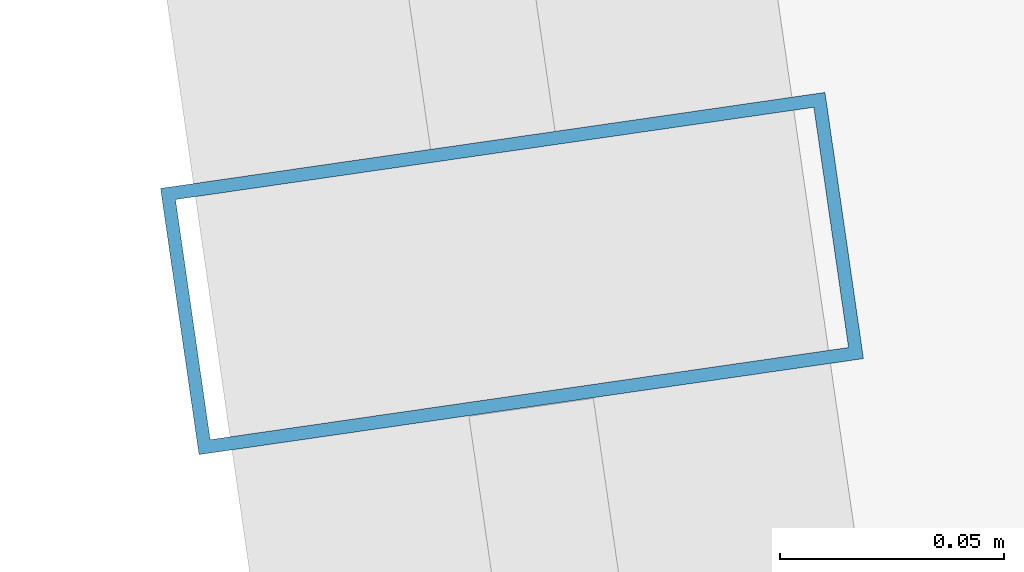
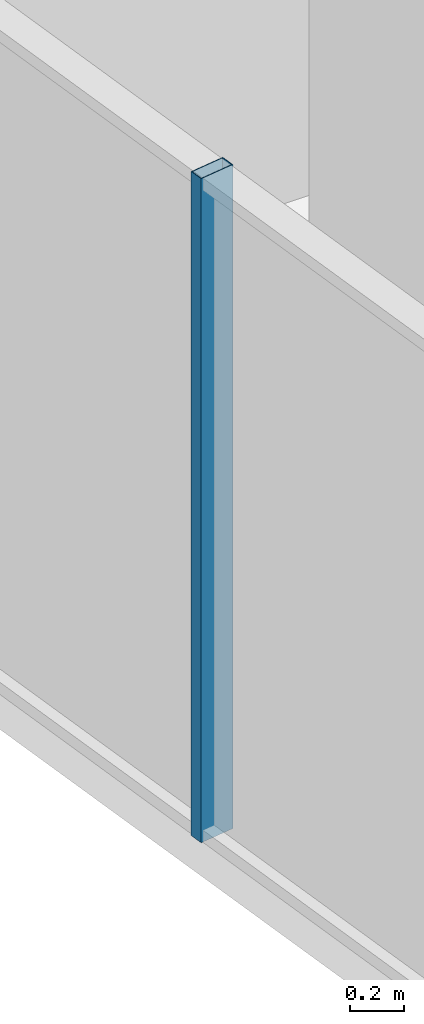
# One storey, part 9 of 31: 1 member, 1 element without a shape of its own.
"""IFC4 building model written with IfcOpenShell, lengths in metres."""

from ifc_helpers import new_model, si_unit, direction, frame, origin, origin_2d, place, context, subcontext, project, spatial, hollow_rectangle, extrude, source, transform, mapped, material, layer, layer_set, material_profile, profile_set, type_object, element, aggregate, save


model = new_model("IFC4")

# Units and contexts
model_context = context("Model", 3, precision=1e-05, world=origin(), true_north=direction((0.0, 1.0)))
body_context = subcontext(model_context, "Body", "Model", "MODEL_VIEW")
ifc_project = project(units=[si_unit("LENGTHUNIT", "METRE"), si_unit("AREAUNIT", "SQUARE_METRE"), si_unit("VOLUMEUNIT", "CUBIC_METRE"), si_unit("PLANEANGLEUNIT", "RADIAN"), si_unit("MASSUNIT", "GRAM", prefix="KILO")], contexts=[model_context])

# Site, building, storey
site_placement = place(None, origin())
site = spatial("IfcSite", under=ifc_project, at=site_placement, CompositionType="ELEMENT")
building_placement = place(site_placement, origin())
building = spatial("IfcBuilding", under=site, at=building_placement, Name="Veraguas Prism Commons", CompositionType="ELEMENT")
storey_placement = place(building_placement, frame((0.0, 0.0, 178.85009765625)))
storey = spatial("IfcBuildingStorey", under=building, at=storey_placement, Name="L50", CompositionType="ELEMENT", Elevation=178.85009765625)

# Curtain wall, member
ifc_material = material(Name="Anodised aluminium EN AW-6063 T6", Category="aluminium")
ifc_layer = layer(ifc_material, 0.14990234375, Name="Unitised Flush Curtain Wall Zone 3", Category="aluminium")
ifc_layer_set = layer_set([ifc_layer], Name="Anodised aluminium EN AW-6063 T6")
curtain_wall_type = type_object("IfcCurtainWallType", Name="Unitised Flush Curtain Wall Zone 3", PredefinedType="NOTDEFINED", material=ifc_layer_set)
curtain_wall_placement = place(storey_placement, origin())
curtain_wall = element("IfcCurtainWall", 1, at=curtain_wall_placement, inside=storey, type_object=curtain_wall_type, Name="Tower Facade Curtain Wall L50-F3", PredefinedType="NOTDEFINED")
ifc_material_profile = material_profile(ifc_material, hollow_rectangle(XDim=0.06005859375, YDim=0.14990234375, WallThickness=0.0029296875, at=origin_2d()), Name="AL60X150X3")
ifc_profile_set = profile_set([ifc_material_profile], Name="Anodised aluminium EN AW-6063 T6")
member_type = type_object("IfcMemberType", Name="Curtain Wall Mullion Upper AL 60x150x3", PredefinedType="MULLION", material=ifc_profile_set)
shared_shape = source(origin(), body_context, "Body", "SweptSolid", [
    extrude(hollow_rectangle(XDim=0.06005859375, YDim=0.14990234375, WallThickness=0.0029296875, at=origin_2d()), origin(), (0.0, 0.0, 1.0), 3.014892578125),
])
member_placement = place(storey_placement, frame((6.4716796875, 21.468017578125, 0.0), z_axis=(0.0, 0.0, 1.0), x_axis=(0.142972694692, -0.989726633254, 0.0)))
member = element("IfcMember", 2, at=member_placement, type_object=member_type, Name="CW-Z3 Mullion 3", PredefinedType="MULLION", context=body_context, shape_type="MappedRepresentation", body=[
    mapped(shared_shape, transform((0.0, 0.0, 0.0), scale=1.0)),
])
aggregate(curtain_wall, [member])

save(model, "model.ifc")
